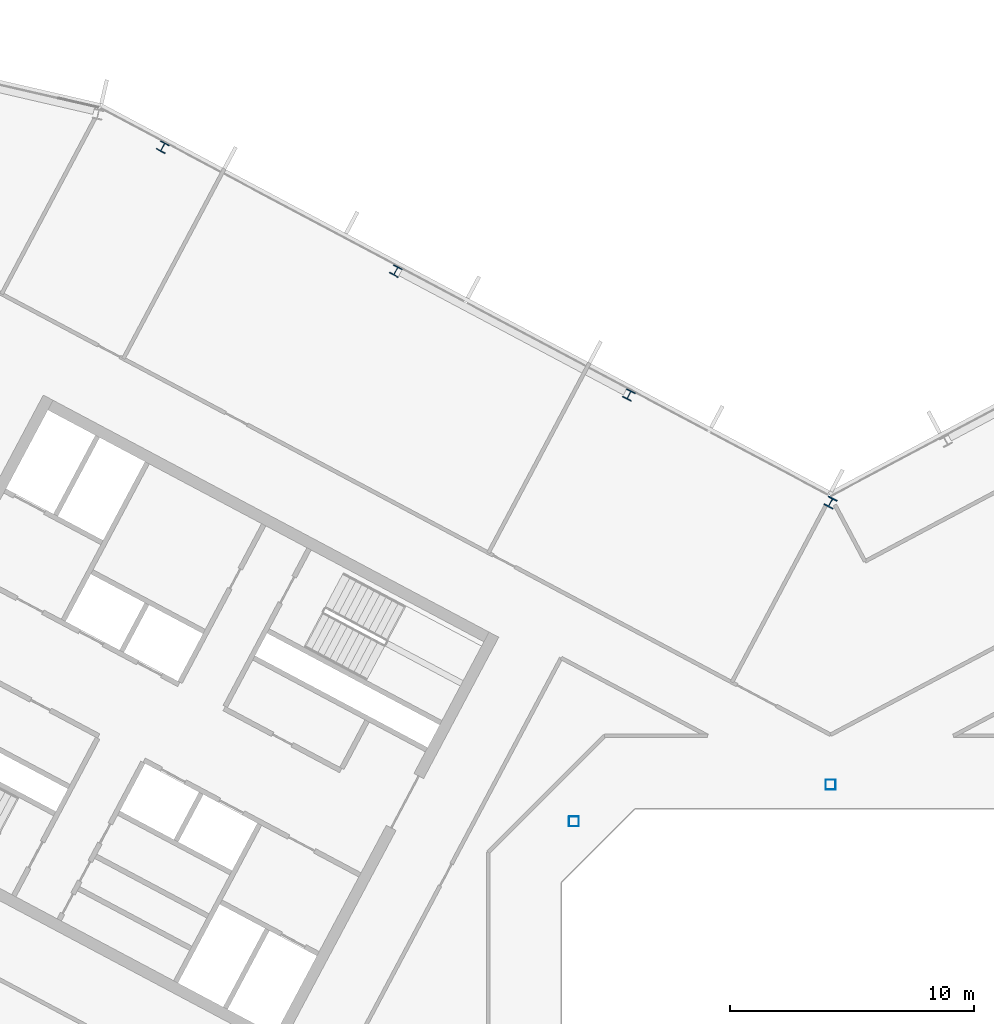
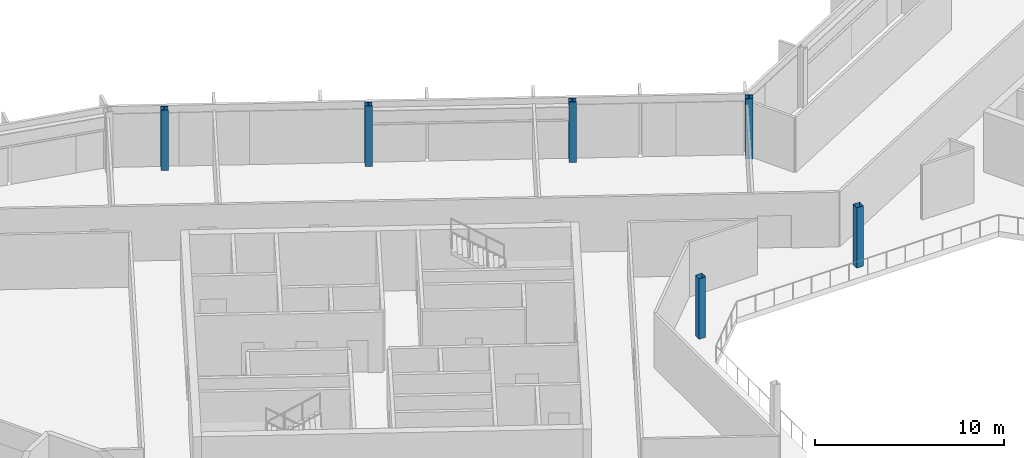
# One storey, part 4 of 25: 6 columns.
"""IFC4 building model written with IfcOpenShell, lengths in metres."""

from ifc_helpers import new_model, si_unit, direction, frame, origin, origin_2d, place, context, subcontext, project, spatial, hollow_rectangle, i_section, extrude, material, material_profile, profile_set, type_object, element, save


model = new_model("IFC4")

# Units and contexts
model_context = context("Model", 3, precision=1e-05, world=origin(), true_north=direction((0.0, 1.0)))
body_context = subcontext(model_context, "Body", "Model", "MODEL_VIEW")
ifc_project = project(units=[si_unit("LENGTHUNIT", "METRE"), si_unit("AREAUNIT", "SQUARE_METRE"), si_unit("VOLUMEUNIT", "CUBIC_METRE"), si_unit("PLANEANGLEUNIT", "RADIAN"), si_unit("MASSUNIT", "GRAM", prefix="KILO")], contexts=[model_context])

# Site, building, storey
site_placement = place(None, origin())
site = spatial("IfcSite", under=ifc_project, at=site_placement, CompositionType="ELEMENT")
building_placement = place(site_placement, origin())
building = spatial("IfcBuilding", under=site, at=building_placement, Name="Cormorant Relay Tower", CompositionType="ELEMENT")
storey_placement = place(building_placement, frame((0.0, 0.0, 265.800048828125)))
storey = spatial("IfcBuildingStorey", under=building, at=storey_placement, Name="L59", CompositionType="ELEMENT", Elevation=265.800048828125)

# Columns
ifc_material_1 = material(Name="Steel ASTM A500 Grade C (Fy 345 MPa)", Category="steel")
ifc_material_profile_1 = material_profile(ifc_material_1, hollow_rectangle(XDim=0.406494140625, YDim=0.406494140625, WallThickness=0.0087890625, InnerFilletRadius=0.00439453125, OuterFilletRadius=0.01318359375, at=origin_2d()), Name="HSS406x406x9")
ifc_profile_set_1 = profile_set([ifc_material_profile_1], Name="Steel ASTM A500 Grade C (Fy 345 MPa)")
column_type_1 = type_object("IfcColumnType", Name="Column HSS406x406x9", PredefinedType="COLUMN", material=ifc_profile_set_1)
for number, where, z_axis, x_axis, name in (
    (1, (-10.5, 10.5, 0.0), (0.0, 0.0, 1.0), (1.0, 0.0, 0.0), "Column L59-023"),
    (2, (0.0, 12.0, 0.0), (0.0, 0.0, 1.0), (1.0, 0.0, 0.0), "Column L59-025"),
):
    element("IfcColumn", number, at=place(storey_placement, frame(where, z_axis=z_axis, x_axis=x_axis)), inside=storey, type_object=column_type_1, Name=name, PredefinedType="COLUMN", context=body_context, shape_type="SweptSolid", body=[
        extrude(hollow_rectangle(XDim=0.406494140625, YDim=0.406494140625, WallThickness=0.0087890625, InnerFilletRadius=0.00439453125, OuterFilletRadius=0.01318359375, at=origin_2d()), origin(), (0.0, 0.0, 1.0), 3.89990234375),
    ])
ifc_material_2 = material(Name="Steel ASTM A992 (Fy 345 MPa)", Category="steel")
ifc_material_profile_2 = material_profile(ifc_material_2, i_section(OverallWidth=0.398681640625, OverallDepth=0.385986328125, WebThickness=0.02099609375, FlangeThickness=0.033203125, FilletRadius=0.01513671875, at=origin_2d()), Name="W360x262")
ifc_profile_set_2 = profile_set([ifc_material_profile_2], Name="Steel ASTM A992 (Fy 345 MPa)")
column_type_2 = type_object("IfcColumnType", Name="Column W360x262", PredefinedType="COLUMN", material=ifc_profile_set_2)
for number, where, z_axis, x_axis, name in (
    (3, (-8.2470703125, 27.943115234375, 0.0), (0.0, 0.0, 1.0), (-0.882947592859, 0.469471562786, 0.0), "Column L59-032"),
    (4, (-17.782958984375, 33.012939453125, 0.0), (0.0, 0.0, 1.0), (-0.882947592859, 0.469471562786, 0.0), "Column L59-036"),
    (5, (-27.319091796875, 38.0830078125, 0.0), (0.0, 0.0, 1.0), (-0.882947592859, 0.469471562786, 0.0), "Column L59-040"),
):
    element("IfcColumn", number, at=place(storey_placement, frame(where, z_axis=z_axis, x_axis=x_axis)), inside=storey, type_object=column_type_2, Name=name, PredefinedType="COLUMN", context=body_context, shape_type="SweptSolid", body=[
        extrude(i_section(OverallWidth=0.398681640625, OverallDepth=0.385986328125, WebThickness=0.02099609375, FlangeThickness=0.033203125, FilletRadius=0.01513671875, at=origin_2d()), origin(), (0.0, 0.0, 1.0), 3.89990234375),
    ])
ifc_material_3 = material(Name="Steel ASTM A992 (Fy 345 MPa)", Category="steel")
ifc_material_profile_3 = material_profile(ifc_material_3, i_section(OverallWidth=0.40380859375, OverallDepth=0.406494140625, WebThickness=0.027099609375, FlangeThickness=0.043701171875, FilletRadius=0.01513671875, at=origin_2d()), Name="W360x347")
ifc_profile_set_3 = profile_set([ifc_material_profile_3], Name="Steel ASTM A992 (Fy 345 MPa)")
column_type_3 = type_object("IfcColumnType", Name="Column W360x347", PredefinedType="COLUMN", material=ifc_profile_set_3)
column_placement = place(storey_placement, frame((0.0, 23.5439453125, 0.0), z_axis=(0.0, 0.0, 1.0), x_axis=(-0.882947592859, 0.469471562786, 0.0)))
element("IfcColumn", 6, at=column_placement, inside=storey, type_object=column_type_3, Name="Column L59-029", PredefinedType="COLUMN", context=body_context, shape_type="SweptSolid", body=[
    extrude(i_section(OverallWidth=0.40380859375, OverallDepth=0.406494140625, WebThickness=0.027099609375, FlangeThickness=0.043701171875, FilletRadius=0.01513671875, at=origin_2d()), origin(), (0.0, 0.0, 1.0), 3.89990234375),
])

save(model, "model.ifc")
